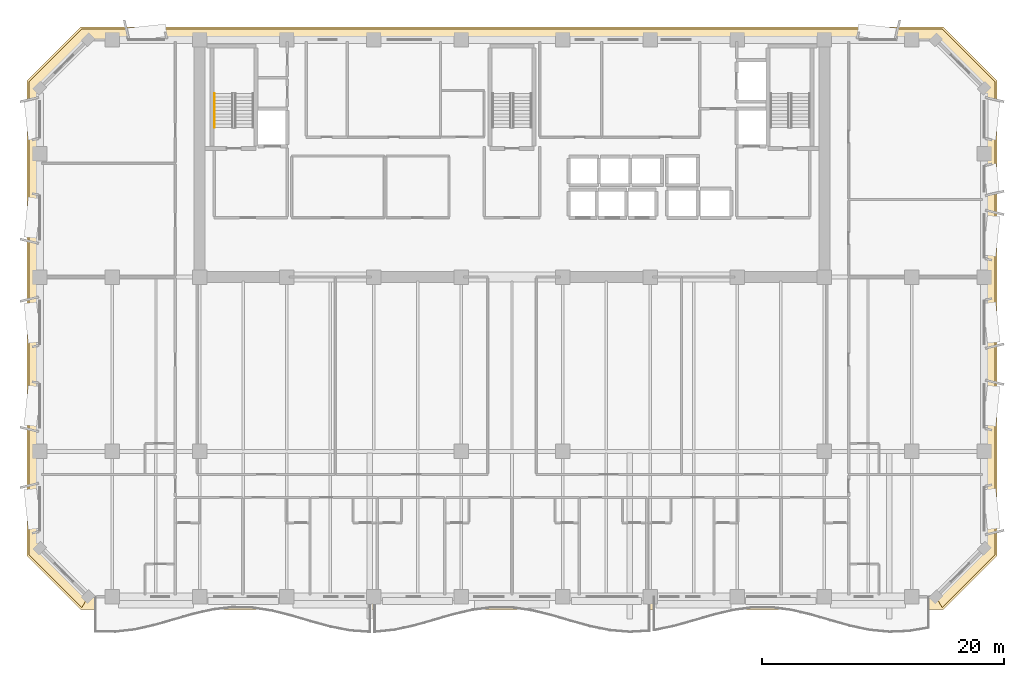
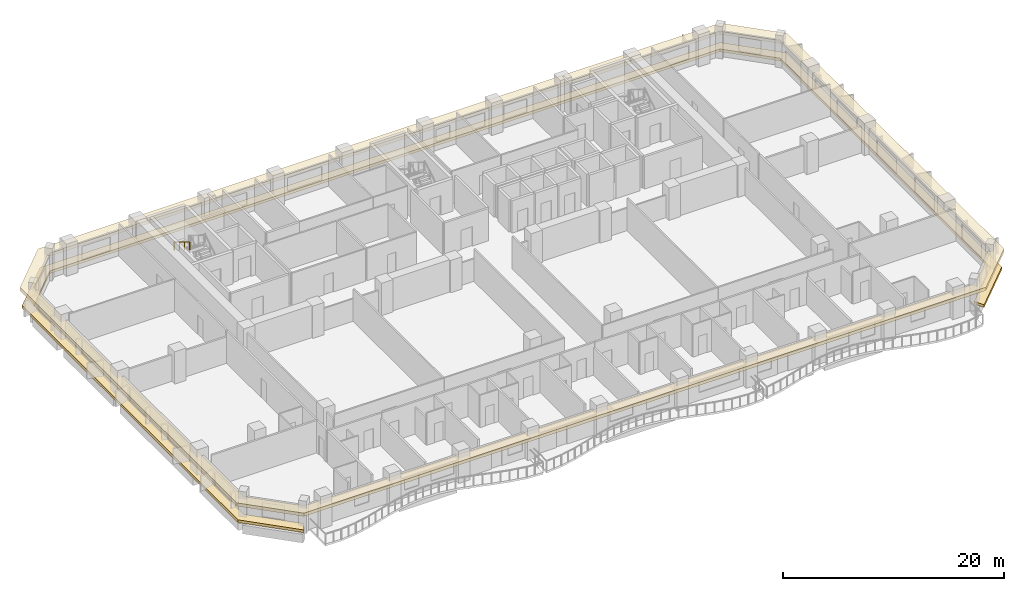
# One storey, part 12 of 15: 2 coverings, 1 railing.
"""IFC4 building model written with IfcOpenShell, lengths in metres."""

from ifc_helpers import new_model, si_unit, direction, frame, origin, origin_2d, place, context, subcontext, project, spatial, polyline, rectangle, outline, extrude, material, layer, layer_set, type_object, element, save


model = new_model("IFC4")

# Units and contexts
model_context = context("Model", 3, precision=1e-05, world=origin(), true_north=direction((0.0, 1.0)))
body_context = subcontext(model_context, "Body", "Model", "MODEL_VIEW")
ifc_project = project(units=[si_unit("LENGTHUNIT", "METRE"), si_unit("AREAUNIT", "SQUARE_METRE"), si_unit("VOLUMEUNIT", "CUBIC_METRE"), si_unit("PLANEANGLEUNIT", "RADIAN"), si_unit("MASSUNIT", "GRAM", prefix="KILO")], contexts=[model_context])

# Site, building, storey
site_placement = place(None, origin())
site = spatial("IfcSite", under=ifc_project, at=site_placement, CompositionType="ELEMENT")
building_placement = place(site_placement, origin())
building = spatial("IfcBuilding", under=site, at=building_placement, Name="Kaelvorn Grand Hotel", CompositionType="ELEMENT")
storey_placement = place(building_placement, frame((0.0, 0.0, 139.14990234375)))
storey = spatial("IfcBuildingStorey", under=building, at=storey_placement, Name="L33", CompositionType="ELEMENT", Elevation=139.14990234375)

# Coverings
ifc_material_1 = material(Name="Precast concrete C45/55", Category="concrete")
ifc_layer_1 = layer(ifc_material_1, 0.260009765625)
ifc_layer_set_1 = layer_set([ifc_layer_1], Name="Precast concrete C45/55")
covering_type_1 = type_object("IfcCoveringType", Name="COV-BAND-STREAMLINE-HEAD", PredefinedType="CLADDING", material=ifc_layer_set_1)
covering_1_placement = place(storey_placement, frame((0.0, 0.0, 2.380126953125)))
element("IfcCovering", 1, at=covering_1_placement, inside=storey, type_object=covering_type_1, Name="L33 Streamline Moderne Wraparound Horizontal Eyebrow Band", PredefinedType="CLADDING", context=body_context, shape_type="SweptSolid", body=[
    extrude(outline(polyline([(6.389892578125, 1.949951171875), (77.610107421875, 1.949951171875), (82.050048828125, 6.389892578125), (82.050048828125, 45.610107421875), (77.610107421875, 50.050048828125), (6.389892578125, 50.050048828125), (1.949951171875, 45.610107421875), (1.949951171875, 6.389892578125), (6.389892578125, 1.949951171875)]), holes=[polyline([(7.02001953125, 3.030029296875), (76.97998046875, 3.030029296875), (80.969970703125, 7.02001953125), (80.969970703125, 44.97998046875), (76.97998046875, 48.969970703125), (7.02001953125, 48.969970703125), (3.030029296875, 44.97998046875), (3.030029296875, 7.02001953125), (7.02001953125, 3.030029296875)])]), origin(), (0.0, 0.0, 1.0), 0.35986328125),
])
ifc_layer_2 = layer(ifc_material_1, 0.219970703125)
ifc_layer_set_2 = layer_set([ifc_layer_2], Name="Precast concrete C45/55")
covering_type_2 = type_object("IfcCoveringType", Name="COV-BAND-STREAMLINE-SILL", PredefinedType="CLADDING", material=ifc_layer_set_2)
covering_2_placement = place(storey_placement, frame((0.0, 0.0, 0.4501953125)))
element("IfcCovering", 2, at=covering_2_placement, inside=storey, type_object=covering_type_2, Name="L33 Streamline Moderne Wraparound Horizontal Sill Spandrel Band", PredefinedType="CLADDING", context=body_context, shape_type="SweptSolid", body=[
    extrude(outline(polyline([(77.515380859375, 2.1201171875), (81.8798828125, 6.484619140625), (81.8798828125, 45.515380859375), (77.515380859375, 49.8798828125), (6.484619140625, 49.8798828125), (2.1201171875, 45.515380859375), (2.1201171875, 6.484619140625), (6.484619140625, 2.1201171875), (7.017578125, 3.030029296875), (3.030029296875, 7.017578125), (3.030029296875, 44.982421875), (7.017578125, 48.969970703125), (76.982421875, 48.969970703125), (80.969970703125, 44.982421875), (80.969970703125, 7.017578125), (76.982421875, 3.030029296875), (77.515380859375, 2.1201171875)])), origin(), (0.0, 0.0, 1.0), 0.2998046875),
])

# Railing
ifc_material_2 = material(Name="Stainless Steel", Category="steel")
railing_type = type_object("IfcRailingType", Name="RL-HANDRAIL-900", PredefinedType="HANDRAIL", material=ifc_material_2)
railing_placement = place(storey_placement, frame((17.449951171875, 44.56005859375, 2.07275390625)))
element("IfcRailing", 3, at=railing_placement, inside=storey, type_object=railing_type, Name="L33 ST1 stair handrail 2", PredefinedType="HANDRAIL", context=body_context, shape_type="SweptSolid", body=[
    extrude(rectangle(XDim=0.048095703125, YDim=0.048095703125, at=origin_2d()), frame((0.0, 0.0, 0.8759765625), z_axis=(0.0, -0.851089632645, 0.525020415988), x_axis=(1.0, 0.0, 0.0)), (0.0, 0.0, 1.0), 3.2900390625),
    extrude(rectangle(XDim=0.0419921875, YDim=0.0419921875, at=origin_2d()), origin(), (0.0, 0.0, 1.0), 0.851806640625),
    extrude(rectangle(XDim=0.0419921875, YDim=0.0419921875, at=origin_2d()), frame((0.0, -0.933349609375, 0.57568359375)), (0.0, 0.0, 1.0), 0.851806640625),
    extrude(rectangle(XDim=0.0419921875, YDim=0.0419921875, at=origin_2d()), frame((0.0, -1.86669921875, 1.151611328125)), (0.0, 0.0, 1.0), 0.851806640625),
    extrude(rectangle(XDim=0.0419921875, YDim=0.0419921875, at=origin_2d()), frame((0.0, -2.800048828125, 1.727294921875)), (0.0, 0.0, 1.0), 0.851806640625),
])

save(model, "model.ifc")
